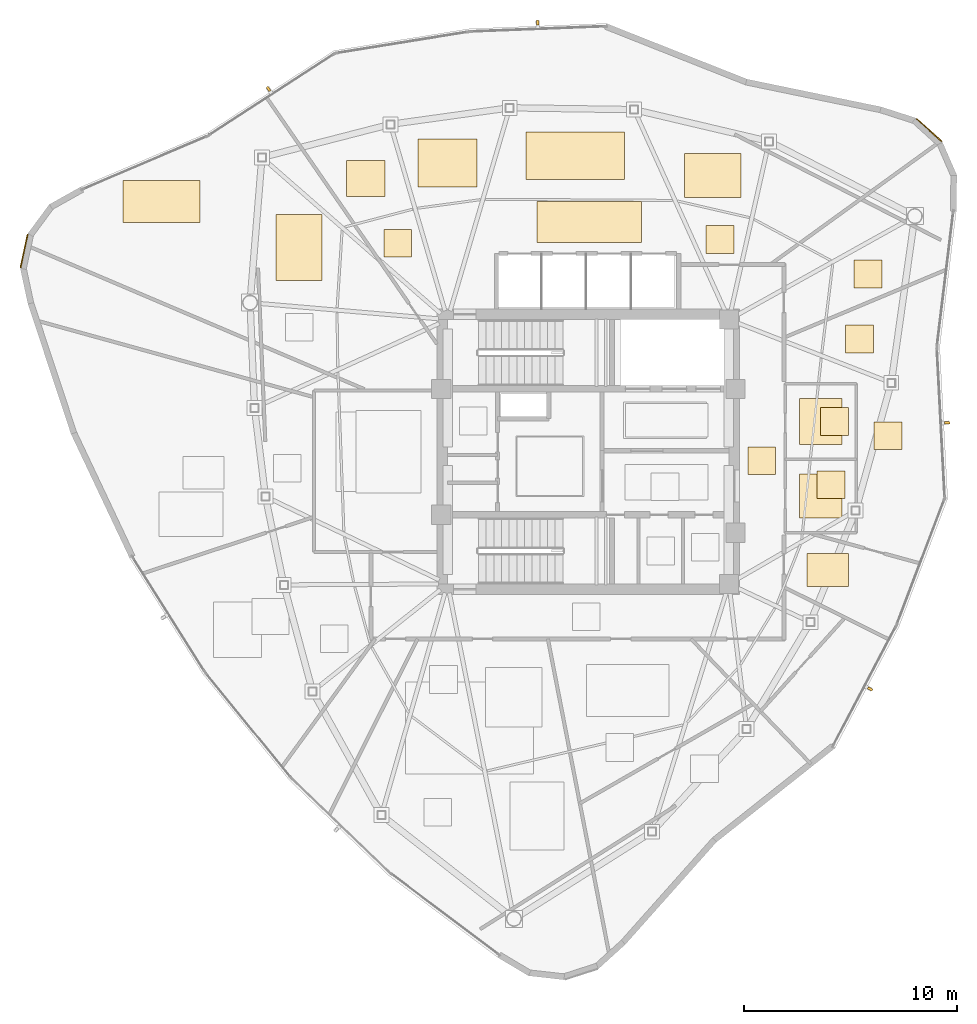
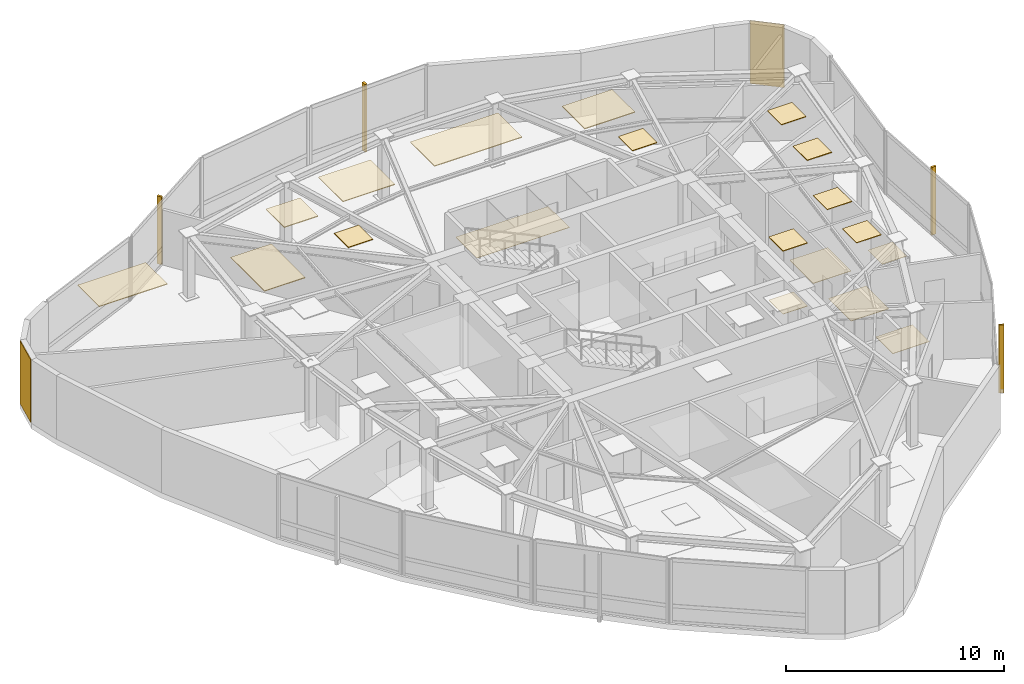
# One storey, part 12 of 12: 21 coverings, 4 shading devices.
"""IFC4 building model written with IfcOpenShell, lengths in metres."""

from ifc_helpers import new_model, si_unit, direction, frame, origin, origin_2d, place, context, subcontext, project, spatial, polyline, rectangle, outline, extrude, source, transform, mapped, material, layer, layer_set, type_object, type_shapes, element, save


model = new_model("IFC4")

# Units and contexts
model_context = context("Model", 3, precision=1e-05, world=origin(), true_north=direction((0.0, 1.0)))
body_context = subcontext(model_context, "Body", "Model", "MODEL_VIEW")
ifc_project = project(units=[si_unit("LENGTHUNIT", "METRE"), si_unit("AREAUNIT", "SQUARE_METRE"), si_unit("VOLUMEUNIT", "CUBIC_METRE"), si_unit("PLANEANGLEUNIT", "RADIAN"), si_unit("MASSUNIT", "GRAM", prefix="KILO")], contexts=[model_context])

# Site, building, storey
site_placement = place(None, origin())
site = spatial("IfcSite", under=ifc_project, at=site_placement, CompositionType="ELEMENT")
building_placement = place(site_placement, origin())
building = spatial("IfcBuilding", under=site, at=building_placement, Name="Tavelor Broadcast Tower", CompositionType="ELEMENT")
storey_placement = place(building_placement, frame((0.0, 0.0, 321.5)))
storey = spatial("IfcBuildingStorey", under=building, at=storey_placement, Name="L77", CompositionType="ELEMENT", Elevation=321.5)

# Coverings
ifc_material_1 = material(Name="Copper-Bronze Anodized Aluminium", Category="aluminium")
ifc_layer_1 = layer(ifc_material_1, 0.050048828125)
ifc_layer_set_1 = layer_set([ifc_layer_1], Name="Copper-Bronze Anodized Aluminium")
covering_type_1 = type_object("IfcCoveringType", Name="Champagne-Bronze Corner Pier Metal Cladding 50 mm", PredefinedType="CLADDING", material=ifc_layer_set_1)
covering_1_placement = place(storey_placement, frame((23.533447265625, 54.418701171875, 0.02001953125), z_axis=(0.0, 0.0, 1.0), x_axis=(-0.210471759821, -0.977599937765, 0.0)))
element("IfcCovering", 1, at=covering_1_placement, inside=storey, type_object=covering_type_1, Name="L77 Champagne-Bronze Corner Cladding 03", PredefinedType="CLADDING", context=body_context, shape_type="SweptSolid", body=[
    extrude(rectangle(XDim=1.58935546875, YDim=0.050048828125, at=origin_2d()), origin(), (0.0, 0.0, 1.0), 3.510009765625),
])
covering_2_placement = place(storey_placement, frame((65.989990234375, 60.093505859375, 0.02001953125), z_axis=(0.0, 0.0, 1.0), x_axis=(-0.741390500932, 0.671073859667, 0.0)))
element("IfcCovering", 2, at=covering_2_placement, inside=storey, type_object=covering_type_1, Name="L77 Champagne-Bronze Corner Cladding 23", PredefinedType="CLADDING", context=body_context, shape_type="SweptSolid", body=[
    extrude(rectangle(XDim=1.589111328125, YDim=0.050048828125, at=origin_2d()), origin(), (0.0, 0.0, 1.0), 3.510009765625),
])
ifc_material_2 = material(Name="Architectural Anodized Aluminium", Category="aluminium")
ifc_layer_2 = layer(ifc_material_2, 0.034912109375)
ifc_layer_set_2 = layer_set([ifc_layer_2], Name="Architectural Anodized Aluminium")
covering_type_2 = type_object("IfcCoveringType", Name="Demountable Metal Tile Corridor Ceiling 35 mm", PredefinedType="CEILING", material=ifc_layer_set_2)
covering_3_placement = place(storey_placement, frame((0.0, 0.0, 3.514892578125)))
element("IfcCovering", 3, at=covering_3_placement, inside=storey, type_object=covering_type_2, Name="L77 Suspended Acoustic Ceiling 2887", PredefinedType="CEILING", context=body_context, shape_type="SweptSolid", body=[
    extrude(outline(polyline([(57.489990234375, 43.925048828125), (58.7900390625, 43.925048828125), (58.7900390625, 45.22509765625), (57.489990234375, 45.22509765625), (57.489990234375, 43.925048828125)])), origin(), (0.0, 0.0, 1.0), 0.03515625),
])
ifc_material_3 = material(Name="Acoustic Nylon Carpet Tile")
ifc_layer_3 = layer(ifc_material_3, 0.02001953125)
ifc_layer_set_3 = layer_set([ifc_layer_3], Name="Acoustic Nylon Carpet Tile")
covering_type_3 = type_object("IfcCoveringType", Name="Heavy-Duty Acoustic Broadcast Carpet Tile 20 mm", PredefinedType="FLOORING", material=ifc_layer_set_3)
covering_4_placement = place(storey_placement, origin())
element("IfcCovering", 4, at=covering_4_placement, inside=storey, type_object=covering_type_3, Name="L77 Broadcast Floor Finish 1143", PredefinedType="FLOORING", context=body_context, shape_type="SweptSolid", body=[
    extrude(outline(polyline([(57.489990234375, 43.925048828125), (58.7900390625, 43.925048828125), (58.7900390625, 45.22509765625), (57.489990234375, 45.22509765625), (57.489990234375, 43.925048828125)])), origin(), (0.0, 0.0, 1.0), 0.02001953125),
])
covering_5_placement = place(storey_placement, origin())
element("IfcCovering", 5, at=covering_5_placement, inside=storey, type_object=covering_type_3, Name="L77 Broadcast Floor Finish 1147", PredefinedType="FLOORING", context=body_context, shape_type="SweptSolid", body=[
    extrude(outline(polyline([(63.4111328125, 45.107177734375), (64.711181640625, 45.107177734375), (64.711181640625, 46.406982421875), (63.4111328125, 46.406982421875), (63.4111328125, 45.107177734375)])), origin(), (0.0, 0.0, 1.0), 0.02001953125),
])
covering_6_placement = place(storey_placement, origin())
element("IfcCovering", 6, at=covering_6_placement, inside=storey, type_object=covering_type_3, Name="L77 Broadcast Floor Finish 1148", PredefinedType="FLOORING", context=body_context, shape_type="SweptSolid", body=[
    extrude(outline(polyline([(60.267578125, 38.681884765625), (62.203369140625, 38.681884765625), (62.203369140625, 40.237060546875), (60.267578125, 40.237060546875), (60.267578125, 38.681884765625)])), origin(), (0.0, 0.0, 1.0), 0.02001953125),
])
covering_7_placement = place(storey_placement, origin())
element("IfcCovering", 7, at=covering_7_placement, inside=storey, type_object=covering_type_3, Name="L77 Broadcast Floor Finish 1153", PredefinedType="FLOORING", context=body_context, shape_type="SweptSolid", body=[
    extrude(outline(polyline([(47.59619140625, 54.80712890625), (52.48681640625, 54.80712890625), (52.48681640625, 56.740234375), (47.59619140625, 56.740234375), (47.59619140625, 54.80712890625)])), origin(), (0.0, 0.0, 1.0), 0.02001953125),
])
ifc_layer_4 = layer(ifc_material_2, 0.030029296875)
ifc_layer_set_4 = layer_set([ifc_layer_4], Name="Architectural Anodized Aluminium")
covering_type_4 = type_object("IfcCoveringType", Name="Moisture-Resistant Washroom Ceiling 30 mm", PredefinedType="CEILING", material=ifc_layer_set_4)
covering_8_placement = place(storey_placement, frame((0.0, 0.0, 3.52001953125)))
element("IfcCovering", 8, at=covering_8_placement, inside=storey, type_object=covering_type_4, Name="L77 Suspended Acoustic Ceiling 2890", PredefinedType="CEILING", context=body_context, shape_type="SweptSolid", body=[
    extrude(outline(polyline([(60.739013671875, 42.806884765625), (62.0390625, 42.806884765625), (62.0390625, 44.106689453125), (60.739013671875, 44.106689453125), (60.739013671875, 42.806884765625)])), origin(), (0.0, 0.0, 1.0), 0.030029296875),
])
covering_9_placement = place(storey_placement, frame((0.0, 0.0, 3.52001953125)))
element("IfcCovering", 9, at=covering_9_placement, inside=storey, type_object=covering_type_4, Name="L77 Suspended Acoustic Ceiling 2891", PredefinedType="CEILING", context=body_context, shape_type="SweptSolid", body=[
    extrude(outline(polyline([(60.898681640625, 45.77490234375), (62.19873046875, 45.77490234375), (62.19873046875, 47.074951171875), (60.898681640625, 47.074951171875), (60.898681640625, 45.77490234375)])), origin(), (0.0, 0.0, 1.0), 0.030029296875),
])
ifc_material_4 = material(Name="Slip-Resistant Porcelain Tile")
ifc_layer_5 = layer(ifc_material_4, 0.02490234375)
ifc_layer_set_5 = layer_set([ifc_layer_5], Name="Slip-Resistant Porcelain Tile")
covering_type_5 = type_object("IfcCoveringType", Name="Slip-Resistant Porcelain Wet-Area Floor Tile 25 mm", PredefinedType="FLOORING", material=ifc_layer_set_5)
covering_10_placement = place(storey_placement, origin())
element("IfcCovering", 10, at=covering_10_placement, inside=storey, type_object=covering_type_5, Name="L77 Broadcast Floor Finish 1145", PredefinedType="FLOORING", context=body_context, shape_type="SweptSolid", body=[
    extrude(outline(polyline([(59.91064453125, 41.885986328125), (61.909423828125, 41.885986328125), (61.909423828125, 43.964111328125), (59.91064453125, 43.964111328125), (59.91064453125, 41.885986328125)])), origin(), (0.0, 0.0, 1.0), 0.02490234375),
])
covering_11_placement = place(storey_placement, origin())
element("IfcCovering", 11, at=covering_11_placement, inside=storey, type_object=covering_type_5, Name="L77 Broadcast Floor Finish 1146", PredefinedType="FLOORING", context=body_context, shape_type="SweptSolid", body=[
    extrude(outline(polyline([(59.91064453125, 45.35009765625), (61.909423828125, 45.35009765625), (61.909423828125, 47.5), (59.91064453125, 47.5), (59.91064453125, 45.35009765625)])), origin(), (0.0, 0.0, 1.0), 0.02490234375),
])
ifc_material_5 = material(Name="Acoustic Mineral Fibre Tile")
ifc_layer_6 = layer(ifc_material_5, 0.0400390625)
ifc_layer_set_6 = layer_set([ifc_layer_6], Name="Acoustic Mineral Fibre Tile")
covering_type_6 = type_object("IfcCoveringType", Name="Suspended Acoustic Mineral-Fibre Office Ceiling 40 mm", PredefinedType="CEILING", material=ifc_layer_set_6)
covering_12_placement = place(storey_placement, frame((0.0, 0.0, 3.510009765625)))
element("IfcCovering", 12, at=covering_12_placement, inside=storey, type_object=covering_type_6, Name="L77 Suspended Acoustic Ceiling 2892", PredefinedType="CEILING", context=body_context, shape_type="SweptSolid", body=[
    extrude(outline(polyline([(62.473388671875, 52.69482421875), (63.773193359375, 52.69482421875), (63.773193359375, 53.994873046875), (62.473388671875, 53.994873046875), (62.473388671875, 52.69482421875)])), origin(), (0.0, 0.0, 1.0), 0.0400390625),
])
covering_13_placement = place(storey_placement, frame((0.0, 0.0, 3.510009765625)))
element("IfcCovering", 13, at=covering_13_placement, inside=storey, type_object=covering_type_6, Name="L77 Suspended Acoustic Ceiling 2893", PredefinedType="CEILING", context=body_context, shape_type="SweptSolid", body=[
    extrude(outline(polyline([(62.0703125, 49.641845703125), (63.3701171875, 49.641845703125), (63.3701171875, 50.94189453125), (62.0703125, 50.94189453125), (62.0703125, 49.641845703125)])), origin(), (0.0, 0.0, 1.0), 0.0400390625),
])
covering_14_placement = place(storey_placement, frame((0.0, 0.0, 3.510009765625)))
element("IfcCovering", 14, at=covering_14_placement, inside=storey, type_object=covering_type_6, Name="L77 Suspended Acoustic Ceiling 2902", PredefinedType="CEILING", context=body_context, shape_type="SweptSolid", body=[
    extrude(outline(polyline([(28.17578125, 55.74560546875), (31.776611328125, 55.74560546875), (31.776611328125, 57.716064453125), (28.17578125, 57.716064453125), (28.17578125, 55.74560546875)])), origin(), (0.0, 0.0, 1.0), 0.0400390625),
])
covering_15_placement = place(storey_placement, frame((0.0, 0.0, 3.510009765625)))
element("IfcCovering", 15, at=covering_15_placement, inside=storey, type_object=covering_type_6, Name="L77 Suspended Acoustic Ceiling 2904", PredefinedType="CEILING", context=body_context, shape_type="SweptSolid", body=[
    extrude(outline(polyline([(35.3466796875, 53.028564453125), (37.49853515625, 53.028564453125), (37.49853515625, 56.131103515625), (35.3466796875, 56.131103515625), (35.3466796875, 53.028564453125)])), origin(), (0.0, 0.0, 1.0), 0.0400390625),
])
covering_16_placement = place(storey_placement, frame((0.0, 0.0, 3.510009765625)))
element("IfcCovering", 16, at=covering_16_placement, inside=storey, type_object=covering_type_6, Name="L77 Suspended Acoustic Ceiling 2905", PredefinedType="CEILING", context=body_context, shape_type="SweptSolid", body=[
    extrude(outline(polyline([(54.51318359375, 56.919189453125), (57.16796875, 56.919189453125), (57.16796875, 58.997314453125), (54.51318359375, 58.997314453125), (54.51318359375, 56.919189453125)])), origin(), (0.0, 0.0, 1.0), 0.0400390625),
])
covering_17_placement = place(storey_placement, frame((0.0, 0.0, 3.510009765625)))
element("IfcCovering", 17, at=covering_17_placement, inside=storey, type_object=covering_type_6, Name="L77 Suspended Acoustic Ceiling 2906", PredefinedType="CEILING", context=body_context, shape_type="SweptSolid", body=[
    extrude(outline(polyline([(55.5302734375, 54.3076171875), (56.830078125, 54.3076171875), (56.830078125, 55.607666015625), (55.5302734375, 55.607666015625), (55.5302734375, 54.3076171875)])), origin(), (0.0, 0.0, 1.0), 0.0400390625),
])
covering_18_placement = place(storey_placement, frame((0.0, 0.0, 3.510009765625)))
element("IfcCovering", 18, at=covering_18_placement, inside=storey, type_object=covering_type_6, Name="L77 Suspended Acoustic Ceiling 2907", PredefinedType="CEILING", context=body_context, shape_type="SweptSolid", body=[
    extrude(outline(polyline([(40.410400390625, 54.126220703125), (41.71044921875, 54.126220703125), (41.71044921875, 55.42626953125), (40.410400390625, 55.42626953125), (40.410400390625, 54.126220703125)])), origin(), (0.0, 0.0, 1.0), 0.0400390625),
])
covering_19_placement = place(storey_placement, frame((0.0, 0.0, 3.510009765625)))
element("IfcCovering", 19, at=covering_19_placement, inside=storey, type_object=covering_type_6, Name="L77 Suspended Acoustic Ceiling 2908", PredefinedType="CEILING", context=body_context, shape_type="SweptSolid", body=[
    extrude(outline(polyline([(38.668701171875, 56.980712890625), (40.458251953125, 56.980712890625), (40.458251953125, 58.65576171875), (38.668701171875, 58.65576171875), (38.668701171875, 56.980712890625)])), origin(), (0.0, 0.0, 1.0), 0.0400390625),
])
covering_20_placement = place(storey_placement, frame((0.0, 0.0, 3.510009765625)))
element("IfcCovering", 20, at=covering_20_placement, inside=storey, type_object=covering_type_6, Name="L77 Suspended Acoustic Ceiling 2909", PredefinedType="CEILING", context=body_context, shape_type="SweptSolid", body=[
    extrude(outline(polyline([(42.02392578125, 57.420166015625), (44.780517578125, 57.420166015625), (44.780517578125, 59.66748046875), (42.02392578125, 59.66748046875), (42.02392578125, 57.420166015625)])), origin(), (0.0, 0.0, 1.0), 0.0400390625),
])
covering_21_placement = place(storey_placement, frame((0.0, 0.0, 3.510009765625)))
element("IfcCovering", 21, at=covering_21_placement, inside=storey, type_object=covering_type_6, Name="L77 Suspended Acoustic Ceiling 2910", PredefinedType="CEILING", context=body_context, shape_type="SweptSolid", body=[
    extrude(outline(polyline([(47.069580078125, 57.77392578125), (51.702880859375, 57.77392578125), (51.702880859375, 59.9912109375), (47.069580078125, 59.9912109375), (47.069580078125, 57.77392578125)])), origin(), (0.0, 0.0, 1.0), 0.0400390625),
])

# Shading devices
ifc_material_6 = material(Name="Kiln-Fired Glazed Terracotta", Category="masonry")
shading_device_type = type_object("IfcShadingDeviceType", Name="Extruded Terracotta Baguette Sun-Screen 110x240", PredefinedType="JALOUSIE", material=ifc_material_6)
shared_shape = source(origin(), body_context, "Body", "SweptSolid", [
    extrude(rectangle(XDim=0.110107421875, YDim=0.239990234375, at=origin_2d()), origin(), (0.0, 0.0, 1.0), 3.7900390625),
])
type_shapes(shading_device_type, [shared_shape])
for number, where, z_axis, x_axis, name in (
    (22, (63.22412109375, 33.872314453125, -0.260009765625), (0.0, 0.0, 1.0), (0.466077834922, 0.884743720969, 0.0), "L77 Terracotta Baguette Fin 735"),
    (23, (66.83984375, 46.362060546875, -0.260009765625), (0.0, 0.0, 1.0), (-0.052335956243, 0.998629534755, 0.0), "L77 Terracotta Baguette Fin 736"),
    (24, (47.625, 65.1337890625, -0.260009765625), (0.0, 0.0, 1.0), (-0.999249455659, -0.038736615301, 0.0), "L77 Terracotta Baguette Fin 737"),
    (25, (35.00048828125, 62.0205078125, -0.260009765625), (0.0, 0.0, 1.0), (-0.838670567945, -0.544639035015, 0.0), "L77 Terracotta Baguette Fin 738"),
):
    element("IfcShadingDevice", number, at=place(storey_placement, frame(where, z_axis=z_axis, x_axis=x_axis)), inside=storey, type_object=shading_device_type, Name=name, PredefinedType="JALOUSIE", context=body_context, shape_type="MappedRepresentation", body=[
        mapped(shared_shape, transform((0.0, 0.0, 0.0), scale=1.0)),
    ])

save(model, "model.ifc")
